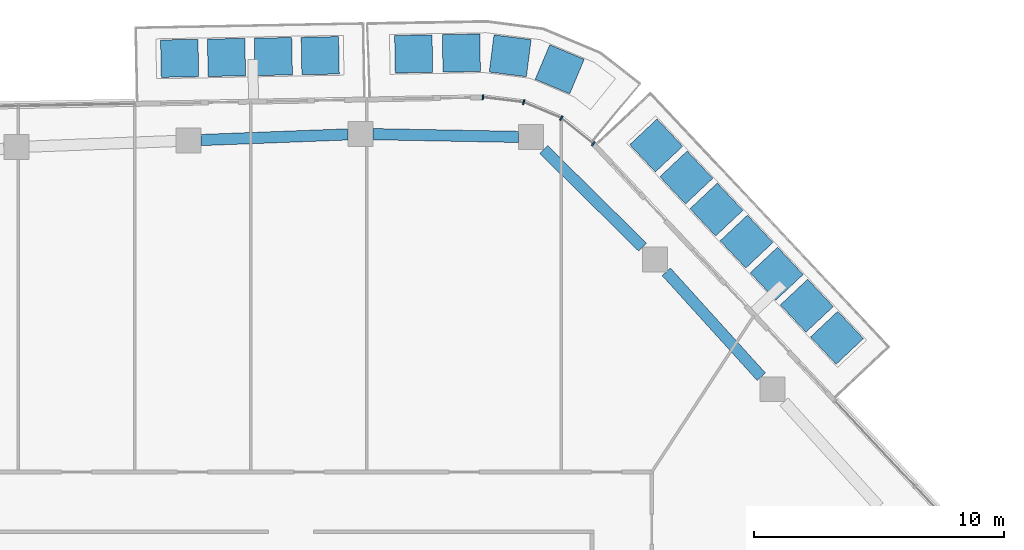
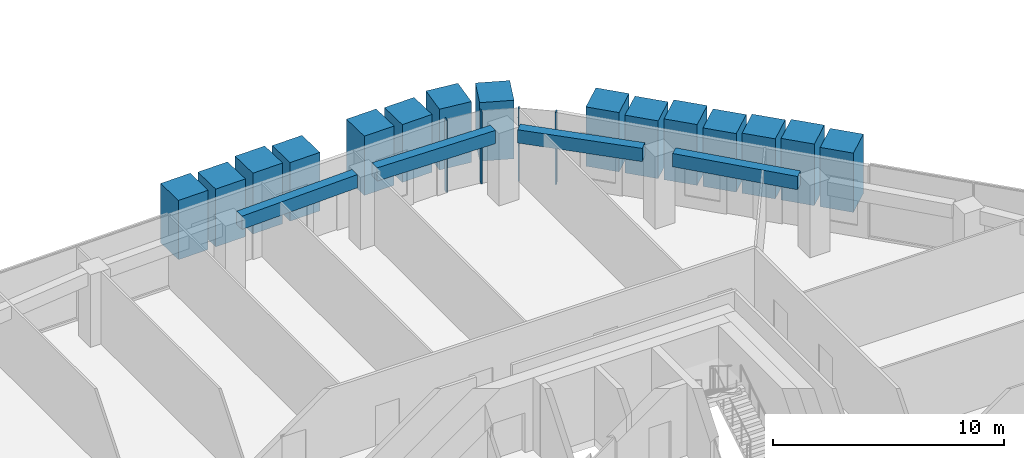
# One storey, part 9 of 24: 19 members, 4 beams, 1 element without a shape of its own.
"""IFC4 building model written with IfcOpenShell, lengths in metres."""

from ifc_helpers import new_model, si_unit, direction, frame, origin, origin_2d, place, context, subcontext, project, spatial, rectangle, extrude, material, layer, layer_set, material_profile, profile_set, type_object, element, aggregate, save


model = new_model("IFC4")

# Units and contexts
model_context = context("Model", 3, precision=1e-05, world=origin(), true_north=direction((0.0, 1.0)))
body_context = subcontext(model_context, "Body", "Model", "MODEL_VIEW")
ifc_project = project(units=[si_unit("LENGTHUNIT", "METRE"), si_unit("AREAUNIT", "SQUARE_METRE"), si_unit("VOLUMEUNIT", "CUBIC_METRE"), si_unit("PLANEANGLEUNIT", "RADIAN"), si_unit("MASSUNIT", "GRAM", prefix="KILO")], contexts=[model_context])

# Site, building, storey
site_placement = place(None, origin())
site = spatial("IfcSite", under=ifc_project, at=site_placement, CompositionType="ELEMENT")
building_placement = place(site_placement, origin())
building = spatial("IfcBuilding", under=site, at=building_placement, Name="Dongbaek Canopy Tower", CompositionType="ELEMENT")
storey_placement = place(building_placement, frame((0.0, 0.0, 294.199951171875)))
storey = spatial("IfcBuildingStorey", under=building, at=storey_placement, Name="L62", CompositionType="ELEMENT", Elevation=294.199951171875)

# Curtain wall, members
ifc_material_1 = material(Name="Aluminium 6063-T6 pale anodised", Category="aluminium")
ifc_layer = layer(ifc_material_1, 0.199951171875)
ifc_layer_set = layer_set([ifc_layer], Name="CW-1 unitised tower curtain wall")
curtain_wall_type = type_object("IfcCurtainWallType", Name="CW-1 unitised tower curtain wall", PredefinedType="NOTDEFINED", material=ifc_layer_set)
curtain_wall_placement = place(storey_placement, origin())
curtain_wall = element("IfcCurtainWall", 1, at=curtain_wall_placement, inside=storey, type_object=curtain_wall_type, Name="CW-1 curtain wall K1.1", PredefinedType="NOTDEFINED")
ifc_material_2 = material(Name="Aluminium 6063-T6 pale anodised", Category="aluminium")
ifc_material_profile_1 = material_profile(ifc_material_2, rectangle(XDim=0.199951171875, YDim=0.06005859375, at=origin_2d()), Name="CW-1 mullion 60 x 200")
ifc_profile_set_1 = profile_set([ifc_material_profile_1], Name="Aluminium 6063-T6 pale anodised")
member_type_1 = type_object("IfcMemberType", Name="CW-1 mullion 60 x 200", PredefinedType="MULLION", material=ifc_profile_set_1)
member_1_placement = place(storey_placement, frame((14.805419921875, 27.29736328125, 0.0), z_axis=(0.0, 0.0, 1.0), x_axis=(0.626615855396, 0.779328281128, 0.0)))
member_1 = element("IfcMember", 2, at=member_1_placement, type_object=member_type_1, Name="CW-1 mullion K1.1.1", PredefinedType="MULLION", context=body_context, shape_type="SweptSolid", body=[
    extrude(rectangle(XDim=0.199951171875, YDim=0.06005859375, at=origin_2d()), origin(), (0.0, 0.0, 1.0), 3.820068359375),
])
member_2_placement = place(storey_placement, frame((13.524169921875, 28.32763671875, 0.0), z_axis=(0.0, 0.0, 1.0), x_axis=(0.512403508149, 0.85874480775, 0.0)))
member_2 = element("IfcMember", 3, at=member_2_placement, type_object=member_type_1, Name="CW-1 mullion K1.1.2", PredefinedType="MULLION", context=body_context, shape_type="SweptSolid", body=[
    extrude(rectangle(XDim=0.199951171875, YDim=0.06005859375, at=origin_2d()), origin(), (0.0, 0.0, 1.0), 3.820068359375),
])
member_3_placement = place(storey_placement, frame((12.015380859375, 28.96337890625, 0.0), z_axis=(0.0, 0.0, 1.0), x_axis=(0.256633626834, 0.966508759183, 0.0)))
member_3 = element("IfcMember", 4, at=member_3_placement, type_object=member_type_1, Name="CW-1 mullion K1.1.3", PredefinedType="MULLION", context=body_context, shape_type="SweptSolid", body=[
    extrude(rectangle(XDim=0.199951171875, YDim=0.06005859375, at=origin_2d()), origin(), (0.0, 0.0, 1.0), 3.820068359375),
])
member_4_placement = place(storey_placement, frame((10.3828125, 29.16064453125, 0.0), z_axis=(0.0, 0.0, 1.0), x_axis=(0.120025609533, 0.992770795832, 0.0)))
member_4 = element("IfcMember", 5, at=member_4_placement, type_object=member_type_1, Name="CW-1 mullion K1.1.4", PredefinedType="MULLION", context=body_context, shape_type="SweptSolid", body=[
    extrude(rectangle(XDim=0.199951171875, YDim=0.06005859375, at=origin_2d()), origin(), (0.0, 0.0, 1.0), 3.820068359375),
])
aggregate(curtain_wall, [member_1, member_2, member_3, member_4])

# Beams
ifc_material_3 = material(Name="Concrete C60", Category="concrete")
ifc_material_profile_2 = material_profile(ifc_material_3, rectangle(XDim=0.449951171875, YDim=0.699951171875, at=origin_2d()), Name="RC EDGE BEAM 450x700 C60")
ifc_profile_set_2 = profile_set([ifc_material_profile_2], Name="Concrete C60")
beam_type = type_object("IfcBeamType", Name="RC EDGE BEAM 450x700 C60", PredefinedType="BEAM", material=ifc_profile_set_2)
beam_1_placement = place(storey_placement, frame((-0.91796875, 27.447265625, 3.469970703125), z_axis=(0.999267098379, 0.038278794366, 0.0), x_axis=(-0.038278794366, 0.999267098379, 0.0)))
element("IfcBeam", 6, at=beam_1_placement, inside=storey, type_object=beam_type, Name="EDGEBEAM:L62:15", PredefinedType="BEAM", context=body_context, shape_type="SweptSolid", body=[
    extrude(rectangle(XDim=0.449951171875, YDim=0.699951171875, at=origin_2d()), origin(), (0.0, 0.0, 1.0), 5.893310546875),
])
beam_2_placement = place(storey_placement, frame((5.970947265625, 27.6826171875, 3.469970703125), z_axis=(0.99982249395, -0.018840928625, 0.0), x_axis=(0.018840928625, 0.99982249395, 0.0)))
element("IfcBeam", 7, at=beam_2_placement, inside=storey, type_object=beam_type, Name="EDGEBEAM:L62:16", PredefinedType="BEAM", context=body_context, shape_type="SweptSolid", body=[
    extrude(rectangle(XDim=0.449951171875, YDim=0.699951171875, at=origin_2d()), origin(), (0.0, 0.0, 1.0), 5.843994140625),
])
beam_3_placement = place(storey_placement, frame((12.81396484375, 27.069580078125, 3.469970703125), z_axis=(0.711740530271, -0.702442465665, 0.0), x_axis=(0.702442465665, 0.711740530271, 0.0)))
element("IfcBeam", 8, at=beam_3_placement, inside=storey, type_object=beam_type, Name="EDGEBEAM:L62:17", PredefinedType="BEAM", context=body_context, shape_type="SweptSolid", body=[
    extrude(rectangle(XDim=0.449951171875, YDim=0.699951171875, at=origin_2d()), origin(), (0.0, 0.0, 1.0), 5.56640625),
])
beam_4_placement = place(storey_placement, frame((17.72900390625, 22.166015625, 3.469970703125), z_axis=(0.67133921348, -0.741150227986, 0.0), x_axis=(0.741150227986, 0.67133921348, 0.0)))
element("IfcBeam", 9, at=beam_4_placement, inside=storey, type_object=beam_type, Name="EDGEBEAM:L62:18", PredefinedType="BEAM", context=body_context, shape_type="SweptSolid", body=[
    extrude(rectangle(XDim=0.449951171875, YDim=0.699951171875, at=origin_2d()), origin(), (0.0, 0.0, 1.0), 5.67236328125),
])

# Members
ifc_material_4 = material(Name="Concrete C40/50 planter mass with planting", Category="concrete")
ifc_material_profile_3 = material_profile(ifc_material_4, rectangle(XDim=1.5, YDim=1.5, at=origin_2d()), Name="Terrace PLANTER shrub mass 1500 x 1500")
ifc_profile_set_3 = profile_set([ifc_material_profile_3], Name="Concrete C40/50 planter mass with planting")
member_type_2 = type_object("IfcMemberType", Name="Terrace PLANTER shrub mass 1500 x 1500", PredefinedType="USERDEFINED", material=ifc_profile_set_3)
member_5_placement = place(storey_placement, frame((24.567138671875, 19.524169921875, 0.420166015625), z_axis=(0.0, 0.0, 1.0), x_axis=(0.728702280393, 0.684830626177, 0.0)))
element("IfcMember", 10, at=member_5_placement, inside=storey, type_object=member_type_2, Name="Planter shrubs L62 1.1", ObjectType="PLANTER", PredefinedType="USERDEFINED", context=body_context, shape_type="SweptSolid", body=[
    extrude(rectangle(XDim=1.5, YDim=1.5, at=origin_2d()), origin(), (0.0, 0.0, 1.0), 3.1298828125),
])
member_6_placement = place(storey_placement, frame((23.360107421875, 20.80859375, 0.420166015625), z_axis=(0.0, 0.0, 1.0), x_axis=(0.728702280393, 0.684830626177, 0.0)))
element("IfcMember", 11, at=member_6_placement, inside=storey, type_object=member_type_2, Name="Planter shrubs L62 1.2", ObjectType="PLANTER", PredefinedType="USERDEFINED", context=body_context, shape_type="SweptSolid", body=[
    extrude(rectangle(XDim=1.5, YDim=1.5, at=origin_2d()), origin(), (0.0, 0.0, 1.0), 3.25),
])
member_7_placement = place(storey_placement, frame((22.153076171875, 22.0927734375, 0.420166015625), z_axis=(0.0, 0.0, 1.0), x_axis=(0.728702280393, 0.684830626177, 0.0)))
element("IfcMember", 12, at=member_7_placement, inside=storey, type_object=member_type_2, Name="Planter shrubs L62 1.3", ObjectType="PLANTER", PredefinedType="USERDEFINED", context=body_context, shape_type="SweptSolid", body=[
    extrude(rectangle(XDim=1.5, YDim=1.5, at=origin_2d()), origin(), (0.0, 0.0, 1.0), 3.169921875),
])
member_8_placement = place(storey_placement, frame((20.946044921875, 23.377197265625, 0.420166015625), z_axis=(0.0, 0.0, 1.0), x_axis=(0.728702280393, 0.684830626177, 0.0)))
element("IfcMember", 13, at=member_8_placement, inside=storey, type_object=member_type_2, Name="Planter shrubs L62 1.4", ObjectType="PLANTER", PredefinedType="USERDEFINED", context=body_context, shape_type="SweptSolid", body=[
    extrude(rectangle(XDim=1.5, YDim=1.5, at=origin_2d()), origin(), (0.0, 0.0, 1.0), 3.08984375),
])
member_9_placement = place(storey_placement, frame((19.739013671875, 24.66162109375, 0.420166015625), z_axis=(0.0, 0.0, 1.0), x_axis=(0.728702280393, 0.684830626177, 0.0)))
element("IfcMember", 14, at=member_9_placement, inside=storey, type_object=member_type_2, Name="Planter shrubs L62 1.5", ObjectType="PLANTER", PredefinedType="USERDEFINED", context=body_context, shape_type="SweptSolid", body=[
    extrude(rectangle(XDim=1.5, YDim=1.5, at=origin_2d()), origin(), (0.0, 0.0, 1.0), 3.2099609375),
])
member_10_placement = place(storey_placement, frame((18.531982421875, 25.94580078125, 0.420166015625), z_axis=(0.0, 0.0, 1.0), x_axis=(0.728702280393, 0.684830626177, 0.0)))
element("IfcMember", 15, at=member_10_placement, inside=storey, type_object=member_type_2, Name="Planter shrubs L62 1.6", ObjectType="PLANTER", PredefinedType="USERDEFINED", context=body_context, shape_type="SweptSolid", body=[
    extrude(rectangle(XDim=1.5, YDim=1.5, at=origin_2d()), origin(), (0.0, 0.0, 1.0), 3.0498046875),
])
member_11_placement = place(storey_placement, frame((17.324951171875, 27.230224609375, 0.420166015625), z_axis=(0.0, 0.0, 1.0), x_axis=(0.728702280393, 0.684830626177, 0.0)))
element("IfcMember", 16, at=member_11_placement, inside=storey, type_object=member_type_2, Name="Planter shrubs L62 1.7", ObjectType="PLANTER", PredefinedType="USERDEFINED", context=body_context, shape_type="SweptSolid", body=[
    extrude(rectangle(XDim=1.5, YDim=1.5, at=origin_2d()), origin(), (0.0, 0.0, 1.0), 3.1298828125),
])
member_12_placement = place(storey_placement, frame((3.862548828125, 30.82763671875, 0.420166015625), z_axis=(0.0, 0.0, 1.0), x_axis=(-0.018905076744, 0.999821283067, 0.0)))
element("IfcMember", 17, at=member_12_placement, inside=storey, type_object=member_type_2, Name="Planter shrubs L62 2.1", ObjectType="PLANTER", PredefinedType="USERDEFINED", context=body_context, shape_type="SweptSolid", body=[
    extrude(rectangle(XDim=1.5, YDim=1.5, at=origin_2d()), origin(), (0.0, 0.0, 1.0), 3.08984375),
])
member_13_placement = place(storey_placement, frame((1.98486328125, 30.792236328125, 0.420166015625), z_axis=(0.0, 0.0, 1.0), x_axis=(-0.018905076744, 0.999821283067, 0.0)))
element("IfcMember", 18, at=member_13_placement, inside=storey, type_object=member_type_2, Name="Planter shrubs L62 2.2", ObjectType="PLANTER", PredefinedType="USERDEFINED", context=body_context, shape_type="SweptSolid", body=[
    extrude(rectangle(XDim=1.5, YDim=1.5, at=origin_2d()), origin(), (0.0, 0.0, 1.0), 3.2099609375),
])
member_14_placement = place(storey_placement, frame((0.107421875, 30.756591796875, 0.420166015625), z_axis=(0.0, 0.0, 1.0), x_axis=(-0.018905076744, 0.999821283067, 0.0)))
element("IfcMember", 19, at=member_14_placement, inside=storey, type_object=member_type_2, Name="Planter shrubs L62 2.3", ObjectType="PLANTER", PredefinedType="USERDEFINED", context=body_context, shape_type="SweptSolid", body=[
    extrude(rectangle(XDim=1.5, YDim=1.5, at=origin_2d()), origin(), (0.0, 0.0, 1.0), 3.0498046875),
])
member_15_placement = place(storey_placement, frame((-1.77001953125, 30.72119140625, 0.420166015625), z_axis=(0.0, 0.0, 1.0), x_axis=(-0.018905076744, 0.999821283067, 0.0)))
element("IfcMember", 20, at=member_15_placement, inside=storey, type_object=member_type_2, Name="Planter shrubs L62 2.4", ObjectType="PLANTER", PredefinedType="USERDEFINED", context=body_context, shape_type="SweptSolid", body=[
    extrude(rectangle(XDim=1.5, YDim=1.5, at=origin_2d()), origin(), (0.0, 0.0, 1.0), 3.1298828125),
])
member_16_placement = place(storey_placement, frame((13.458251953125, 30.280029296875, 0.420166015625), z_axis=(0.0, 0.0, 1.0), x_axis=(0.38827541263, 0.921543381479, 0.0)))
element("IfcMember", 21, at=member_16_placement, inside=storey, type_object=member_type_2, Name="Planter shrubs L62 6.1", ObjectType="PLANTER", PredefinedType="USERDEFINED", context=body_context, shape_type="SweptSolid", body=[
    extrude(rectangle(XDim=1.5, YDim=1.5, at=origin_2d()), origin(), (0.0, 0.0, 1.0), 3.08984375),
])
member_17_placement = place(storey_placement, frame((11.474365234375, 30.821533203125, 0.420166015625), z_axis=(0.0, 0.0, 1.0), x_axis=(0.126056164569, 0.99202310627, 0.0)))
element("IfcMember", 22, at=member_17_placement, inside=storey, type_object=member_type_2, Name="Planter shrubs L62 6.2", ObjectType="PLANTER", PredefinedType="USERDEFINED", context=body_context, shape_type="SweptSolid", body=[
    extrude(rectangle(XDim=1.5, YDim=1.5, at=origin_2d()), origin(), (0.0, 0.0, 1.0), 3.2099609375),
])
member_18_placement = place(storey_placement, frame((9.51806640625, 30.931640625, 0.420166015625), z_axis=(0.0, 0.0, 1.0), x_axis=(-0.017834727748, 0.999840948594, 0.0)))
element("IfcMember", 23, at=member_18_placement, inside=storey, type_object=member_type_2, Name="Planter shrubs L62 6.3", ObjectType="PLANTER", PredefinedType="USERDEFINED", context=body_context, shape_type="SweptSolid", body=[
    extrude(rectangle(XDim=1.5, YDim=1.5, at=origin_2d()), origin(), (0.0, 0.0, 1.0), 3.0498046875),
])
member_19_placement = place(storey_placement, frame((7.606689453125, 30.8974609375, 0.420166015625), z_axis=(0.0, 0.0, 1.0), x_axis=(-0.017834727748, 0.999840948594, 0.0)))
element("IfcMember", 24, at=member_19_placement, inside=storey, type_object=member_type_2, Name="Planter shrubs L62 6.4", ObjectType="PLANTER", PredefinedType="USERDEFINED", context=body_context, shape_type="SweptSolid", body=[
    extrude(rectangle(XDim=1.5, YDim=1.5, at=origin_2d()), origin(), (0.0, 0.0, 1.0), 3.1298828125),
])

save(model, "model.ifc")
